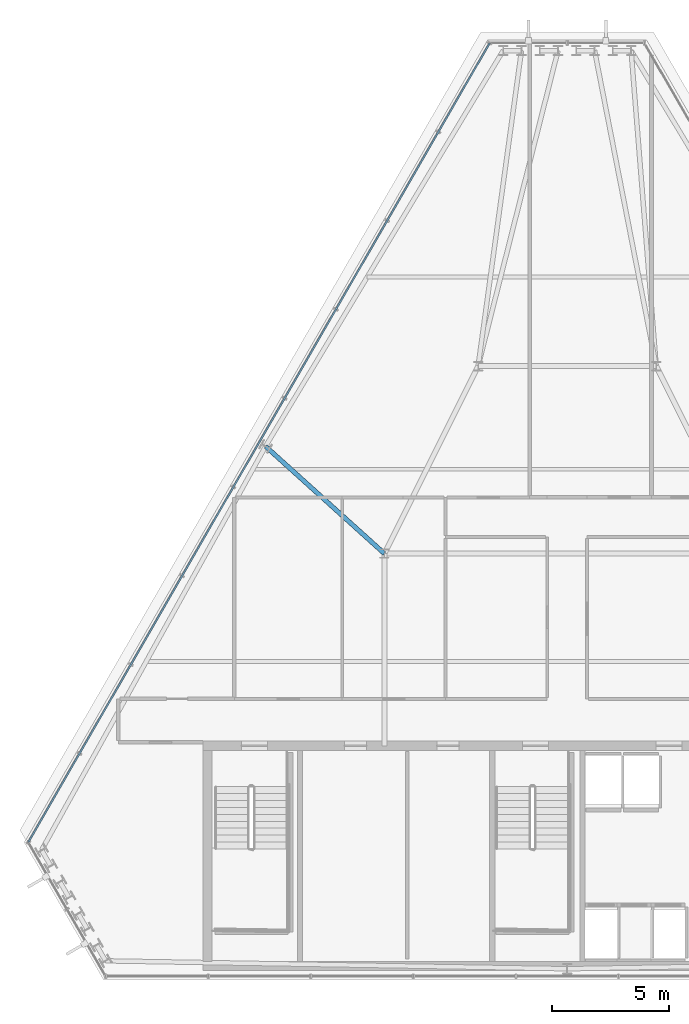
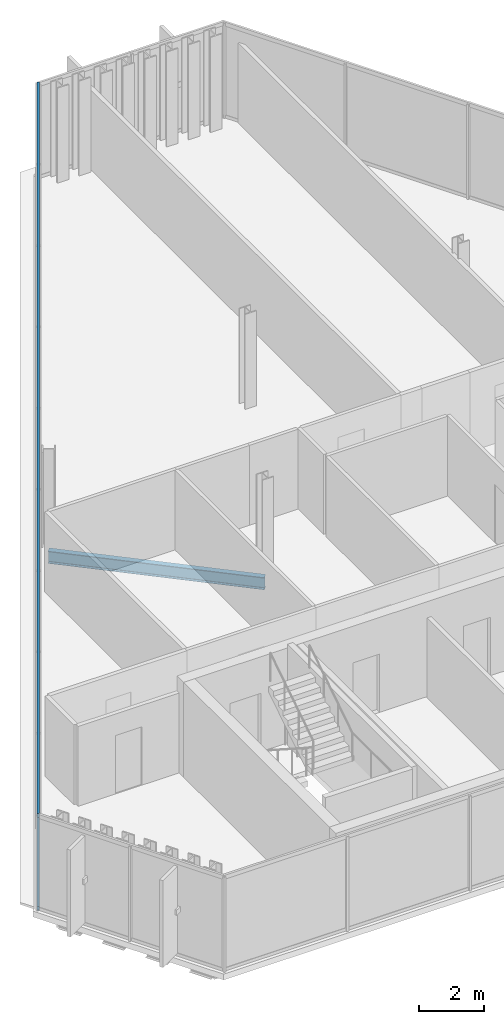
# One storey, part 11 of 29: 2 members, 1 beam, 1 element without a shape of its own.
"""IFC4 building model written with IfcOpenShell, lengths in metres."""

from ifc_helpers import new_model, si_unit, direction, frame, origin, origin_2d, place, context, subcontext, project, spatial, hollow_rectangle, i_section, extrude, material, layer, layer_set, material_profile, profile_set, type_object, element, aggregate, save


model = new_model("IFC4")

# Units and contexts
model_context = context("Model", 3, precision=1e-05, world=origin(), true_north=direction((0.0, 1.0)))
body_context = subcontext(model_context, "Body", "Model", "MODEL_VIEW")
ifc_project = project(units=[si_unit("LENGTHUNIT", "METRE"), si_unit("AREAUNIT", "SQUARE_METRE"), si_unit("VOLUMEUNIT", "CUBIC_METRE"), si_unit("PLANEANGLEUNIT", "RADIAN"), si_unit("MASSUNIT", "GRAM", prefix="KILO")], contexts=[model_context])

# Site, building, storey
site_placement = place(None, origin())
site = spatial("IfcSite", under=ifc_project, at=site_placement, CompositionType="ELEMENT")
building_placement = place(site_placement, origin())
building = spatial("IfcBuilding", under=site, at=building_placement, Name="Ndaravel Arena Tower", CompositionType="ELEMENT")
storey_placement = place(building_placement, frame((0.0, 0.0, 240.800048828125)))
storey = spatial("IfcBuildingStorey", under=building, at=storey_placement, Name="L58", CompositionType="ELEMENT", Elevation=240.800048828125)

# Beam
ifc_material_1 = material(Name="Steel S355", Category="steel")
ifc_material_profile_1 = material_profile(ifc_material_1, i_section(OverallWidth=0.19140625, OverallDepth=0.4599609375, WebThickness=0.010009765625, FlangeThickness=0.01611328125, FilletRadius=0.01025390625, at=origin_2d()), Name="UB 457x191x82")
ifc_profile_set_1 = profile_set([ifc_material_profile_1], Name="Steel S355")
beam_type = type_object("IfcBeamType", Name="BM-GIRD-UB457", PredefinedType="BEAM", material=ifc_profile_set_1)
beam_placement = place(storey_placement, frame((29.12744140625, 27.77587890625, -0.449951171875), z_axis=(0.742517096227, -0.669827113374, 0.0), x_axis=(0.669827113374, 0.742517096227, 0.0)))
element("IfcBeam", 1, at=beam_placement, inside=storey, type_object=beam_type, Name="L58 Radial Floor Girder FG-19", PredefinedType="BEAM", context=body_context, shape_type="SweptSolid", body=[
    extrude(i_section(OverallWidth=0.19140625, OverallDepth=0.4599609375, WebThickness=0.010009765625, FlangeThickness=0.01611328125, FilletRadius=0.01025390625, at=origin_2d()), origin(), (0.0, 0.0, 1.0), 6.83154296875),
])

# Curtain wall, members
ifc_material_2 = material(Name="Aluminium", Category="aluminium")
ifc_layer = layer(ifc_material_2, 0.179931640625)
ifc_layer_set = layer_set([ifc_layer], Name="Aluminium")
curtain_wall_type = type_object("IfcCurtainWallType", Name="CW-SYS-03", PredefinedType="NOTDEFINED", material=ifc_layer_set)
curtain_wall_placement = place(storey_placement, origin())
curtain_wall = element("IfcCurtainWall", 2, at=curtain_wall_placement, inside=storey, type_object=curtain_wall_type, Name="L58 Faceted Crystal Curtain Wall CW-L58-E05", PredefinedType="NOTDEFINED")
ifc_material_3 = material(Name="Aluminium", Category="aluminium")
ifc_material_profile_2 = material_profile(ifc_material_3, hollow_rectangle(XDim=0.074951171875, YDim=0.14990234375, WallThickness=0.00390625, at=origin_2d()), Name="CW TRANSOM 75x150x4")
ifc_profile_set_2 = profile_set([ifc_material_profile_2], Name="Aluminium")
member_type = type_object("IfcMemberType", Name="MEM-CW-TRN150", PredefinedType="USERDEFINED", material=ifc_profile_set_2)
member_1_placement = place(storey_placement, frame((38.6962890625, 44.989501953125, 0.0400390625), z_axis=(-0.499999339774, -0.866025784966, 0.0), x_axis=(0.866025784966, -0.499999339774, 0.0)))
member_1 = element("IfcMember", 3, at=member_1_placement, type_object=member_type, Name="CW-L58-E05 Transom 01", ObjectType="TRANSOM", PredefinedType="USERDEFINED", context=body_context, shape_type="SweptSolid", body=[
    extrude(hollow_rectangle(XDim=0.074951171875, YDim=0.14990234375, WallThickness=0.00390625, at=origin_2d()), origin(), (0.0, 0.0, 1.0), 39.3837890625),
])
member_2_placement = place(storey_placement, frame((38.6962890625, 44.989501953125, 3.5400390625), z_axis=(-0.499999339774, -0.866025784966, 0.0), x_axis=(0.866025784966, -0.499999339774, 0.0)))
member_2 = element("IfcMember", 4, at=member_2_placement, type_object=member_type, Name="CW-L58-E05 Transom 02", ObjectType="TRANSOM", PredefinedType="USERDEFINED", context=body_context, shape_type="SweptSolid", body=[
    extrude(hollow_rectangle(XDim=0.074951171875, YDim=0.14990234375, WallThickness=0.00390625, at=origin_2d()), origin(), (0.0, 0.0, 1.0), 39.3837890625),
])
aggregate(curtain_wall, [member_1, member_2])

save(model, "model.ifc")
